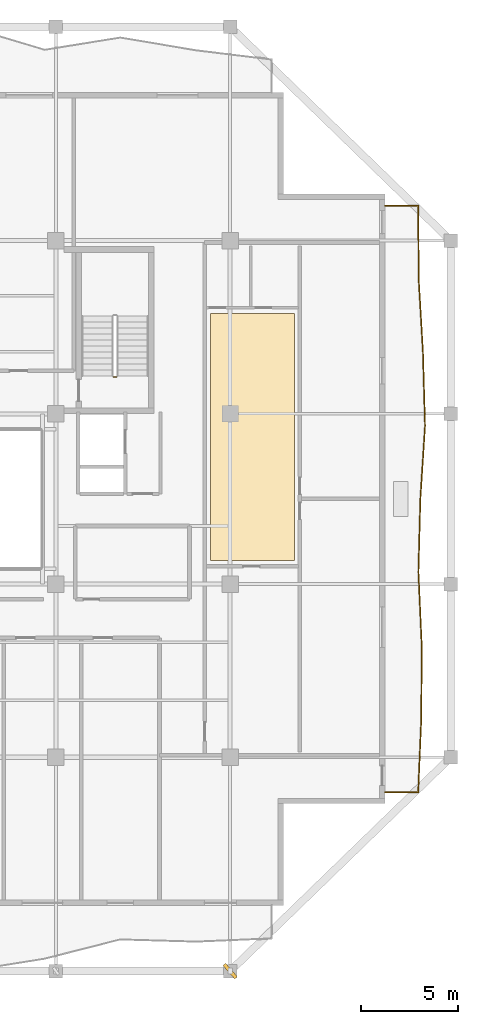
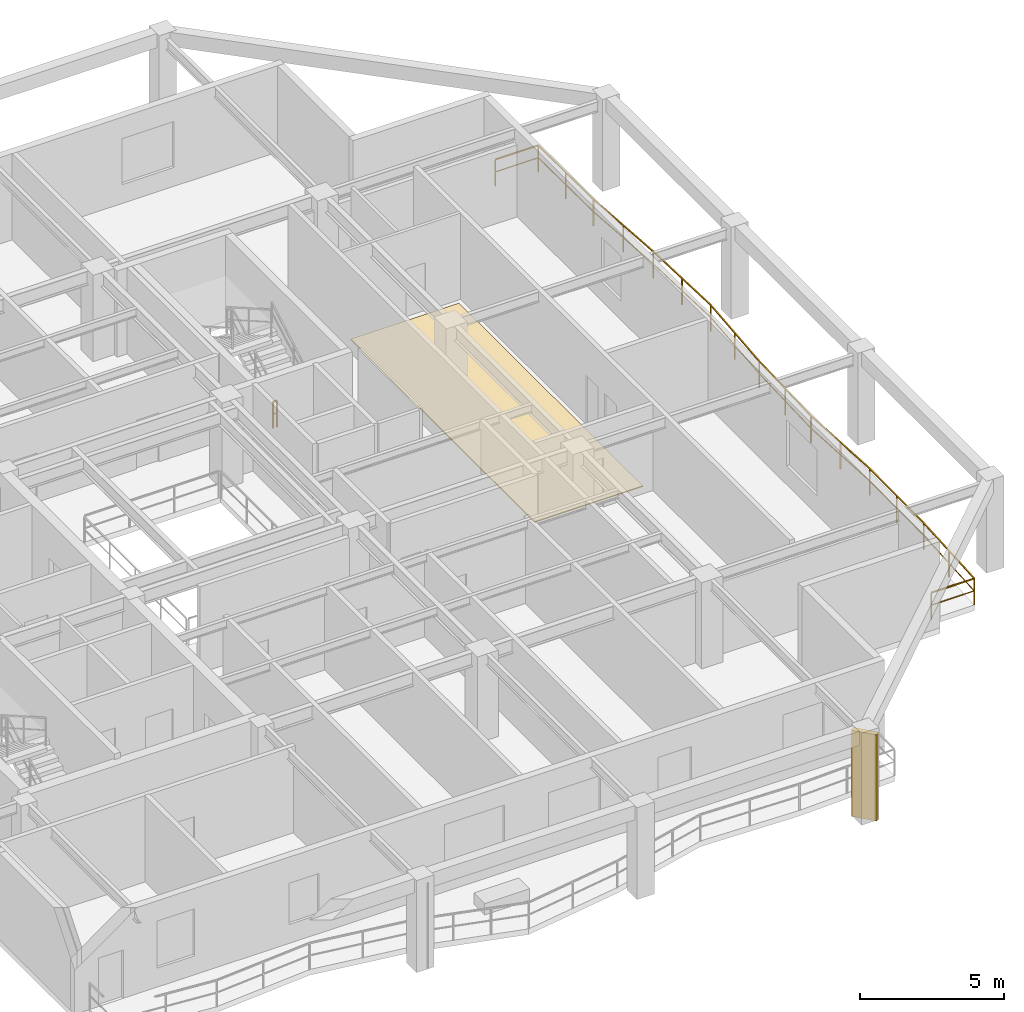
# One storey, part 9 of 11: 2 railings, 1 covering, 1 shading device.
"""IFC4 building model written with IfcOpenShell, lengths in metres."""

from ifc_helpers import new_model, si_unit, direction, frame, origin, origin_2d, place, context, subcontext, project, spatial, polyline, rectangle, outline, extrude, material, layer, layer_set, type_object, element, save


model = new_model("IFC4")

# Units and contexts
model_context = context("Model", 3, precision=1e-05, world=origin(), true_north=direction((0.0, 1.0)))
body_context = subcontext(model_context, "Body", "Model", "MODEL_VIEW")
ifc_project = project(units=[si_unit("LENGTHUNIT", "METRE"), si_unit("AREAUNIT", "SQUARE_METRE"), si_unit("VOLUMEUNIT", "CUBIC_METRE"), si_unit("PLANEANGLEUNIT", "RADIAN"), si_unit("MASSUNIT", "GRAM", prefix="KILO")], contexts=[model_context])

# Site, building, storey
site_placement = place(None, origin())
site = spatial("IfcSite", under=ifc_project, at=site_placement, CompositionType="ELEMENT")
building_placement = place(site_placement, origin())
building = spatial("IfcBuilding", under=site, at=building_placement, Name="Kundavana Baori Tower", CompositionType="ELEMENT")
storey_placement = place(building_placement, frame((0.0, 0.0, 260.89990234375)))
storey = spatial("IfcBuildingStorey", under=building, at=storey_placement, Name="L64", CompositionType="ELEMENT", Elevation=260.89990234375)

# Covering
ifc_material_1 = material(Name="Honed Kota Stone and Terrazzo Flooring", Category="masonry")
ifc_layer = layer(ifc_material_1, 0.0400390625, Name="COV-FLR-TERR-40")
ifc_layer_set = layer_set([ifc_layer], Name="Honed Kota Stone and Terrazzo Flooring")
covering_type = type_object("IfcCoveringType", Name="COV-FLR-TERR-40", PredefinedType="FLOORING", material=ifc_layer_set)
covering_placement = place(storey_placement, origin())
element("IfcCovering", 1, at=covering_placement, inside=storey, type_object=covering_type, Name="L64 Room Finished Stone Flooring 4", PredefinedType="FLOORING", context=body_context, shape_type="SweptSolid", body=[
    extrude(outline(polyline([(41.780029296875, 25.409912109375), (46.1298828125, 25.409912109375), (46.1298828125, 38.18994140625), (41.780029296875, 38.18994140625), (41.780029296875, 25.409912109375)])), origin(), (0.0, 0.0, 1.0), 0.0400390625),
])

# Railings
ifc_material_2 = material(Name="Architectural Patinated Bronze Metalwork")
railing_type_1 = type_object("IfcRailingType", Name="RL-BAL-1150", PredefinedType="BALUSTRADE", material=ifc_material_2)
railing_1_placement = place(storey_placement, frame((50.800048828125, 43.75, 0.0)))
element("IfcRailing", 2, at=railing_1_placement, inside=storey, type_object=railing_type_1, Name="L64 Loggia Balcony Balustrade E", PredefinedType="BALUSTRADE", context=body_context, shape_type="SweptSolid", body=[
    extrude(rectangle(XDim=0.048095703125, YDim=0.048095703125, at=origin_2d()), frame((0.0, 0.0, 1.1259765625), z_axis=(1.0, 0.0, 0.0), x_axis=(0.0, 1.0, 0.0)), (0.0, 0.0, 1.0), 1.719970703125),
    extrude(rectangle(XDim=0.03125, YDim=0.03125, at=origin_2d()), frame((0.0, 0.0, 0.597900390625), z_axis=(1.0, 0.0, 0.0), x_axis=(0.0, 1.0, 0.0)), (0.0, 0.0, 1.0), 1.719970703125),
    extrude(rectangle(XDim=0.048095703125, YDim=0.048095703125, at=origin_2d()), frame((1.719970703125, 0.0, 1.1259765625), z_axis=(0.00715372259, -0.999974411799, 0.0), x_axis=(0.999974411799, 0.00715372259, 0.0)), (0.0, 0.0, 1.0), 3.7880859375),
    extrude(rectangle(XDim=0.03125, YDim=0.03125, at=origin_2d()), frame((1.719970703125, 0.0, 0.597900390625), z_axis=(0.00715372259, -0.999974411799, 0.0), x_axis=(0.999974411799, 0.00715372259, 0.0)), (0.0, 0.0, 1.0), 3.7880859375),
    extrude(rectangle(XDim=0.048095703125, YDim=0.048095703125, at=origin_2d()), frame((1.7470703125, -3.7880859375, 1.1259765625), z_axis=(0.057733468694, -0.998332032238, 0.0), x_axis=(0.998332032238, 0.057733468694, 0.0)), (0.0, 0.0, 1.0), 3.793212890625),
    extrude(rectangle(XDim=0.03125, YDim=0.03125, at=origin_2d()), frame((1.7470703125, -3.7880859375, 0.597900390625), z_axis=(0.057733468694, -0.998332032238, 0.0), x_axis=(0.998332032238, 0.057733468694, 0.0)), (0.0, 0.0, 1.0), 3.793212890625),
    extrude(rectangle(XDim=0.048095703125, YDim=0.048095703125, at=origin_2d()), frame((1.966064453125, -7.574951171875, 1.1259765625), z_axis=(0.028482508809, -0.999594291046, 0.0), x_axis=(0.999594291046, 0.028482508809, 0.0)), (0.0, 0.0, 1.0), 3.78857421875),
    extrude(rectangle(XDim=0.03125, YDim=0.03125, at=origin_2d()), frame((1.966064453125, -7.574951171875, 0.597900390625), z_axis=(0.028482508809, -0.999594291046, 0.0), x_axis=(0.999594291046, 0.028482508809, 0.0)), (0.0, 0.0, 1.0), 3.78857421875),
    extrude(rectangle(XDim=0.048095703125, YDim=0.048095703125, at=origin_2d()), frame((2.073974609375, -11.362060546875, 1.1259765625), z_axis=(-0.063487519069, -0.997982632576, 0.0), x_axis=(0.997982632576, -0.063487519069, 0.0)), (0.0, 0.0, 1.0), 3.79541015625),
    extrude(rectangle(XDim=0.03125, YDim=0.03125, at=origin_2d()), frame((2.073974609375, -11.362060546875, 0.597900390625), z_axis=(-0.063487519069, -0.997982632576, 0.0), x_axis=(0.997982632576, -0.063487519069, 0.0)), (0.0, 0.0, 1.0), 3.79541015625),
    extrude(rectangle(XDim=0.048095703125, YDim=0.048095703125, at=origin_2d()), frame((1.8330078125, -15.14990234375, 1.1259765625), z_axis=(-0.026672641649, -0.999644221805, 0.0), x_axis=(0.999644221805, -0.026672641649, 0.0)), (0.0, 0.0, 1.0), 3.78955078125),
    extrude(rectangle(XDim=0.03125, YDim=0.03125, at=origin_2d()), frame((1.8330078125, -15.14990234375, 0.597900390625), z_axis=(-0.026672641649, -0.999644221805, 0.0), x_axis=(0.999644221805, -0.026672641649, 0.0)), (0.0, 0.0, 1.0), 3.78955078125),
    extrude(rectangle(XDim=0.048095703125, YDim=0.048095703125, at=origin_2d()), frame((1.73193359375, -18.93798828125, 1.1259765625), z_axis=(0.045401818467, -0.998968805759, 0.0), x_axis=(0.998968805759, 0.045401818467, 0.0)), (0.0, 0.0, 1.0), 3.791015625),
    extrude(rectangle(XDim=0.03125, YDim=0.03125, at=origin_2d()), frame((1.73193359375, -18.93798828125, 0.597900390625), z_axis=(0.045401818467, -0.998968805759, 0.0), x_axis=(0.998968805759, 0.045401818467, 0.0)), (0.0, 0.0, 1.0), 3.791015625),
    extrude(rectangle(XDim=0.048095703125, YDim=0.048095703125, at=origin_2d()), frame((1.904052734375, -22.72509765625, 1.1259765625), z_axis=(-0.00638243721, -0.99997963204, 0.0), x_axis=(0.99997963204, -0.00638243721, 0.0)), (0.0, 0.0, 1.0), 3.786865234375),
    extrude(rectangle(XDim=0.03125, YDim=0.03125, at=origin_2d()), frame((1.904052734375, -22.72509765625, 0.597900390625), z_axis=(-0.00638243721, -0.99997963204, 0.0), x_axis=(0.99997963204, -0.00638243721, 0.0)), (0.0, 0.0, 1.0), 3.786865234375),
    extrude(rectangle(XDim=0.048095703125, YDim=0.048095703125, at=origin_2d()), frame((1.8798828125, -26.511962890625, 1.1259765625), z_axis=(-0.04217692403, -0.99911015763, 0.0), x_axis=(0.99911015763, -0.04217692403, 0.0)), (0.0, 0.0, 1.0), 3.79150390625),
    extrude(rectangle(XDim=0.03125, YDim=0.03125, at=origin_2d()), frame((1.8798828125, -26.511962890625, 0.597900390625), z_axis=(-0.04217692403, -0.99911015763, 0.0), x_axis=(0.99911015763, -0.04217692403, 0.0)), (0.0, 0.0, 1.0), 3.79150390625),
    extrude(rectangle(XDim=0.048095703125, YDim=0.048095703125, at=origin_2d()), frame((1.719970703125, -30.300048828125, 1.1259765625), z_axis=(-1.0, 0.0, 0.0), x_axis=(0.0, -1.0, 0.0)), (0.0, 0.0, 1.0), 1.719970703125),
    extrude(rectangle(XDim=0.03125, YDim=0.03125, at=origin_2d()), frame((1.719970703125, -30.300048828125, 0.597900390625), z_axis=(-1.0, 0.0, 0.0), x_axis=(0.0, -1.0, 0.0)), (0.0, 0.0, 1.0), 1.719970703125),
    extrude(rectangle(XDim=0.0419921875, YDim=0.0419921875, at=origin_2d()), origin(), (0.0, 0.0, 1.0), 1.101806640625),
    extrude(rectangle(XDim=0.0419921875, YDim=0.0419921875, at=origin_2d()), frame((1.719970703125, 0.0, 0.0)), (0.0, 0.0, 1.0), 1.101806640625),
    extrude(rectangle(XDim=0.0419921875, YDim=0.0419921875, at=origin_2d()), frame((1.7333984375, -1.89404296875, 0.0)), (0.0, 0.0, 1.0), 1.101806640625),
    extrude(rectangle(XDim=0.0419921875, YDim=0.0419921875, at=origin_2d()), frame((1.7470703125, -3.7880859375, 0.0)), (0.0, 0.0, 1.0), 1.101806640625),
    extrude(rectangle(XDim=0.0419921875, YDim=0.0419921875, at=origin_2d()), frame((1.8564453125, -5.681640625, 0.0)), (0.0, 0.0, 1.0), 1.101806640625),
    extrude(rectangle(XDim=0.0419921875, YDim=0.0419921875, at=origin_2d()), frame((1.966064453125, -7.574951171875, 0.0)), (0.0, 0.0, 1.0), 1.101806640625),
    extrude(rectangle(XDim=0.0419921875, YDim=0.0419921875, at=origin_2d()), frame((2.02001953125, -9.468505859375, 0.0)), (0.0, 0.0, 1.0), 1.101806640625),
    extrude(rectangle(XDim=0.0419921875, YDim=0.0419921875, at=origin_2d()), frame((2.073974609375, -11.362060546875, 0.0)), (0.0, 0.0, 1.0), 1.101806640625),
    extrude(rectangle(XDim=0.0419921875, YDim=0.0419921875, at=origin_2d()), frame((1.95361328125, -13.255859375, 0.0)), (0.0, 0.0, 1.0), 1.101806640625),
    extrude(rectangle(XDim=0.0419921875, YDim=0.0419921875, at=origin_2d()), frame((1.8330078125, -15.14990234375, 0.0)), (0.0, 0.0, 1.0), 1.101806640625),
    extrude(rectangle(XDim=0.0419921875, YDim=0.0419921875, at=origin_2d()), frame((1.782470703125, -17.0439453125, 0.0)), (0.0, 0.0, 1.0), 1.101806640625),
    extrude(rectangle(XDim=0.0419921875, YDim=0.0419921875, at=origin_2d()), frame((1.73193359375, -18.93798828125, 0.0)), (0.0, 0.0, 1.0), 1.101806640625),
    extrude(rectangle(XDim=0.0419921875, YDim=0.0419921875, at=origin_2d()), frame((1.81787109375, -20.83154296875, 0.0)), (0.0, 0.0, 1.0), 1.101806640625),
    extrude(rectangle(XDim=0.0419921875, YDim=0.0419921875, at=origin_2d()), frame((1.904052734375, -22.72509765625, 0.0)), (0.0, 0.0, 1.0), 1.101806640625),
    extrude(rectangle(XDim=0.0419921875, YDim=0.0419921875, at=origin_2d()), frame((1.89208984375, -24.61865234375, 0.0)), (0.0, 0.0, 1.0), 1.101806640625),
    extrude(rectangle(XDim=0.0419921875, YDim=0.0419921875, at=origin_2d()), frame((1.8798828125, -26.511962890625, 0.0)), (0.0, 0.0, 1.0), 1.101806640625),
    extrude(rectangle(XDim=0.0419921875, YDim=0.0419921875, at=origin_2d()), frame((1.7998046875, -28.406005859375, 0.0)), (0.0, 0.0, 1.0), 1.101806640625),
    extrude(rectangle(XDim=0.0419921875, YDim=0.0419921875, at=origin_2d()), frame((1.719970703125, -30.300048828125, 0.0)), (0.0, 0.0, 1.0), 1.101806640625),
    extrude(rectangle(XDim=0.0419921875, YDim=0.0419921875, at=origin_2d()), frame((0.0, -30.300048828125, 0.0)), (0.0, 0.0, 1.0), 1.101806640625),
])
ifc_material_3 = material(Name="Architectural Patinated Bronze Metalwork")
railing_type_2 = type_object("IfcRailingType", Name="RL-GRD-1150", PredefinedType="GUARDRAIL", material=ifc_material_3)
railing_2_placement = place(storey_placement, frame((36.929931640625, 34.89990234375, 0.0)))
element("IfcRailing", 3, at=railing_2_placement, inside=storey, type_object=railing_type_2, Name="L64 ST3 stair guard 4", PredefinedType="GUARDRAIL", context=body_context, shape_type="SweptSolid", body=[
    extrude(rectangle(XDim=0.048095703125, YDim=0.048095703125, at=origin_2d()), frame((0.0, 0.0, 1.1259765625), z_axis=(-1.0, 0.0, 0.0), x_axis=(0.0, -1.0, 0.0)), (0.0, 0.0, 1.0), 0.159912109375),
    extrude(rectangle(XDim=0.03125, YDim=0.03125, at=origin_2d()), frame((0.0, 0.0, 0.597900390625), z_axis=(-1.0, 0.0, 0.0), x_axis=(0.0, -1.0, 0.0)), (0.0, 0.0, 1.0), 0.159912109375),
    extrude(rectangle(XDim=0.0419921875, YDim=0.0419921875, at=origin_2d()), origin(), (0.0, 0.0, 1.0), 1.101806640625),
    extrude(rectangle(XDim=0.0419921875, YDim=0.0419921875, at=origin_2d()), frame((-0.159912109375, 0.0, 0.0)), (0.0, 0.0, 1.0), 1.101806640625),
])

# Shading device
ifc_material_4 = material(Name="Red-Buff Dholpur Sandstone Cladding on Concrete C40/50", Category="masonry")
shading_device_type = type_object("IfcShadingDeviceType", Name="SHD-FIN-920", PredefinedType="JALOUSIE", material=ifc_material_4)
shading_device_placement = place(storey_placement, frame((42.800048828125, 4.199951171875, 0.0), z_axis=(0.0, 0.0, 1.0), x_axis=(0.748492942249, 0.663142756428, 0.0)))
element("IfcShadingDevice", 4, at=shading_device_placement, inside=storey, type_object=shading_device_type, Name="L64 Sweeping Dholpur Sandstone Facade Fin 4", PredefinedType="JALOUSIE", context=body_context, shape_type="SweptSolid", body=[
    extrude(rectangle(XDim=0.179931640625, YDim=0.919921875, at=origin_2d()), origin(), (0.0, 0.0, 1.0), 3.659912109375),
])

save(model, "model.ifc")
